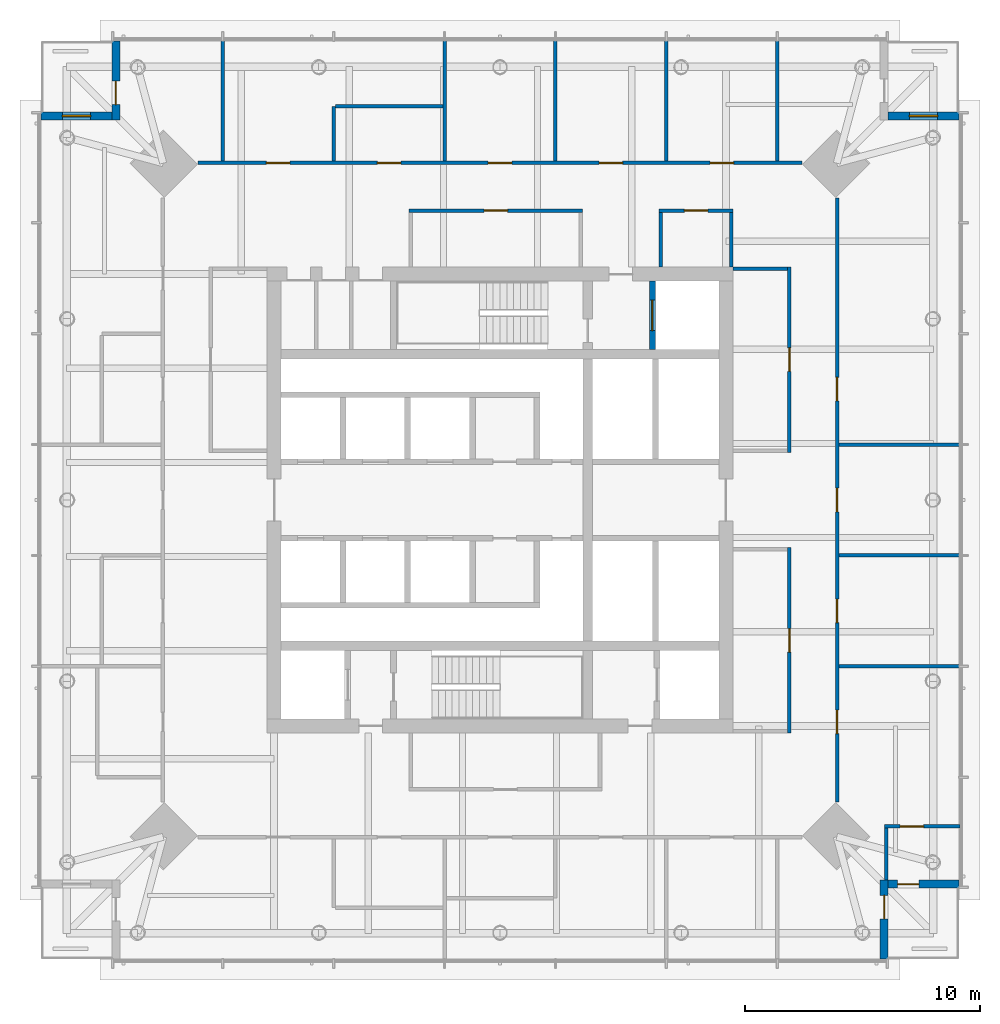
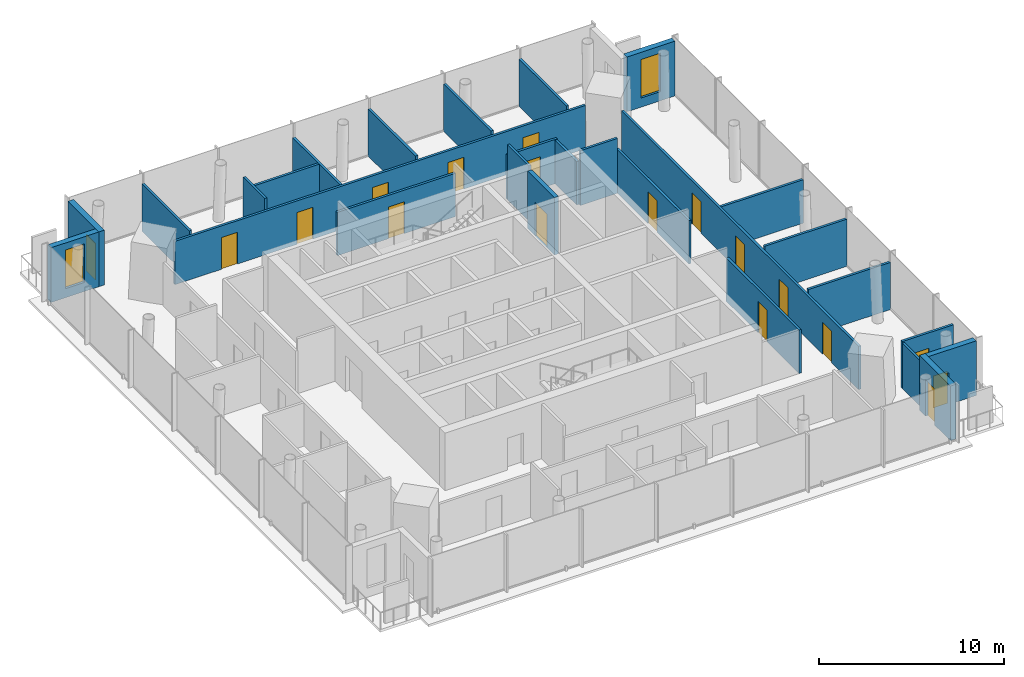
# One storey, part 6 of 11: 27 walls, 18 doors, 2 windows, 20 openings.
"""IFC4 building model written with IfcOpenShell, lengths in metres."""

from ifc_helpers import new_model, si_unit, direction, frame, frame_2d, origin, place, context, subcontext, project, spatial, rectangle, extrude, material, layer, layer_set, type_object, element, fill, save


model = new_model("IFC4")

# Units and contexts
model_context = context("Model", 3, precision=1e-05, world=origin(), true_north=direction((0.0, 1.0)))
body_context = subcontext(model_context, "Body", "Model", "MODEL_VIEW")
ifc_project = project(units=[si_unit("LENGTHUNIT", "METRE"), si_unit("AREAUNIT", "SQUARE_METRE"), si_unit("VOLUMEUNIT", "CUBIC_METRE"), si_unit("PLANEANGLEUNIT", "RADIAN"), si_unit("MASSUNIT", "GRAM", prefix="KILO")], contexts=[model_context])

# Site, building, storey
site_placement = place(None, origin())
site = spatial("IfcSite", under=ifc_project, at=site_placement, CompositionType="ELEMENT")
building_placement = place(site_placement, origin())
building = spatial("IfcBuilding", under=site, at=building_placement, Name="Ostroluk Exchange", CompositionType="ELEMENT")
storey_placement = place(building_placement, frame((0.0, 0.0, 195.800048828125)))
storey = spatial("IfcBuildingStorey", under=building, at=storey_placement, Name="L50", CompositionType="ELEMENT", Elevation=195.800048828125)

# Wall, opening, door
ifc_material_1 = material(Name="Concrete C40/50", Category="concrete")
ifc_layer_1 = layer(ifc_material_1, 0.25)
ifc_layer_set_1 = layer_set([ifc_layer_1], Name="Core shaft wall 250")
wall_type_1 = type_object("IfcWallType", Name="Core shaft wall 250", PredefinedType="SHEAR", material=ifc_layer_set_1)
wall_1_placement = place(storey_placement, frame((51.47509765625, 52.39990234375, 0.0), z_axis=(0.0, 0.0, 1.0), x_axis=(0.0, 1.0, 0.0)))
wall_1 = element("IfcWall", 1, at=wall_1_placement, inside=storey, type_object=wall_type_1, Name="Firefighting lift shaft wall", PredefinedType="SHEAR", context=body_context, shape_type="SweptSolid", body=[
    extrude(rectangle(XDim=2.900146484375, YDim=0.25, at=frame_2d((1.4501953125, 0.0))), origin(), (0.0, 0.0, 1.0), 3.800048828125),
])
opening_1_placement = place(wall_1_placement, frame((0.800048828125, 0.0, 0.0)))
opening_1 = element("IfcOpeningElement", 2, at=opening_1_placement, cuts=wall_1, Name="Opening LD2", PredefinedType="OPENING", context=body_context, shape_type="SweptSolid", body=[
    extrude(rectangle(XDim=1.300048828125, YDim=2.199951171875, at=frame_2d((0.64990234375, 1.10009765625))), frame((0.0, 0.135009765625, 0.0), z_axis=(0.0, -1.0, 0.0), x_axis=(1.0, 0.0, 0.0)), (0.0, 0.0, 1.0), 0.27001953125),
])
ifc_material_2 = material(Name="Stainless steel", Category="steel")
door_type_1 = type_object("IfcDoorType", Name="Lift landing door E 60 1300 x 2200", OperationType="DOUBLE_DOOR_SLIDING", PredefinedType="DOOR", material=ifc_material_2)
door_1_placement = place(opening_1_placement, origin())
door_1 = element("IfcDoor", 3, at=door_1_placement, inside=storey, type_object=door_type_1, Name="Lift FL2 landing door", OperationType="DOUBLE_DOOR_SLIDING", OverallHeight=2.199951171875, OverallWidth=1.300048828125, PredefinedType="DOOR", context=body_context, shape_type="SweptSolid", body=[
    extrude(rectangle(XDim=1.300048828125, YDim=2.199951171875, at=frame_2d((0.64990234375, 1.10009765625))), frame((0.0, 0.02490234375, 0.0), z_axis=(0.0, -1.0, 0.0), x_axis=(1.0, 0.0, 0.0)), (0.0, 0.0, 1.0), 0.050048828125),
])
fill(opening_1, door_1)

ifc_material_3 = material(Name="Limestone", Category="masonry")
ifc_layer_2 = layer(ifc_material_3, 0.35009765625)
ifc_layer_set_2 = layer_set([ifc_layer_2], Name="Limestone facade wall 350")
wall_type_2 = type_object("IfcWallType", Name="Limestone facade wall 350", PredefinedType="SOLIDWALL", material=ifc_layer_set_2)
wall_2_placement = place(storey_placement, frame((61.324951171875, 26.5, 0.0), z_axis=(0.0, 0.0, 1.0), x_axis=(0.0, 1.0, 0.0)))
wall_2 = element("IfcWall", 4, at=wall_2_placement, inside=storey, type_object=wall_type_2, Name="Office tower SE corner wall L50 a", PredefinedType="SOLIDWALL", context=body_context, shape_type="SweptSolid", body=[
    extrude(rectangle(XDim=3.35009765625, YDim=0.35009765625, at=frame_2d((1.675048828125, 0.0))), origin(), (0.0, 0.0, 1.0), 3.619873046875),
])
opening_2_placement = place(wall_2_placement, frame((1.699951171875, 0.0, 0.0)))
opening_2 = element("IfcOpeningElement", 5, at=opening_2_placement, cuts=wall_2, Name="Opening D-B1", PredefinedType="OPENING", context=body_context, shape_type="SweptSolid", body=[
    extrude(rectangle(XDim=1.0, YDim=2.39990234375, at=frame_2d((0.5, 1.199951171875))), frame((0.0, 0.18505859375, 0.0), z_axis=(0.0, -1.0, 0.0), x_axis=(1.0, 0.0, 0.0)), (0.0, 0.0, 1.0), 0.3701171875),
])
ifc_material_4 = material(Name="Bronze framed glazed door", Category="aluminium")
door_type_2 = type_object("IfcDoorType", Name="Balcony door 1000 x 2400", OperationType="SINGLE_SWING_LEFT", PredefinedType="DOOR", material=ifc_material_4)
door_2_placement = place(opening_2_placement, origin())
door_2 = element("IfcDoor", 6, at=door_2_placement, inside=storey, type_object=door_type_2, Name="Office tower SE balcony door L50", OperationType="SINGLE_SWING_RIGHT", OverallHeight=2.39990234375, OverallWidth=1.0, PredefinedType="DOOR", context=body_context, shape_type="SweptSolid", body=[
    extrude(rectangle(XDim=1.0, YDim=2.39990234375, at=frame_2d((0.5, 1.199951171875))), frame((0.0, 0.02490234375, 0.0), z_axis=(0.0, -1.0, 0.0), x_axis=(1.0, 0.0, 0.0)), (0.0, 0.0, 1.0), 0.050048828125),
])
fill(opening_2, door_2)

wall_3_placement = place(storey_placement, frame((61.5, 29.675048828125, 0.0), z_axis=(0.0, 0.0, 1.0), x_axis=(1.0, 0.0, 0.0)))
wall_3 = element("IfcWall", 7, at=wall_3_placement, inside=storey, type_object=wall_type_2, Name="Office tower SE corner wall L50 b", PredefinedType="SOLIDWALL", context=body_context, shape_type="SweptSolid", body=[
    extrude(rectangle(XDim=3.0, YDim=0.35009765625, at=frame_2d((1.5, 0.0))), origin(), (0.0, 0.0, 1.0), 3.619873046875),
])
opening_3_placement = place(wall_3_placement, frame((0.39990234375, 0.0, 0.0)))
opening_3 = element("IfcOpeningElement", 8, at=opening_3_placement, cuts=wall_3, Name="Opening D-M1", PredefinedType="OPENING", context=body_context, shape_type="SweptSolid", body=[
    extrude(rectangle(XDim=0.89990234375, YDim=2.10009765625, at=frame_2d((0.449951171875, 1.050048828125))), frame((0.0, 0.18505859375, 0.0), z_axis=(0.0, -1.0, 0.0), x_axis=(1.0, 0.0, 0.0)), (0.0, 0.0, 1.0), 0.3701171875),
])
ifc_material_5 = material(Name="Steel door", Category="steel")
door_type_3 = type_object("IfcDoorType", Name="Maintenance access door 900 x 2100", OperationType="SINGLE_SWING_LEFT", PredefinedType="DOOR", material=ifc_material_5)
door_3_placement = place(opening_3_placement, origin())
door_3 = element("IfcDoor", 9, at=door_3_placement, inside=storey, type_object=door_type_3, Name="Maintenance access door T1 L50 SE", OperationType="SINGLE_SWING_LEFT", OverallHeight=2.10009765625, OverallWidth=0.89990234375, PredefinedType="DOOR", context=body_context, shape_type="SweptSolid", body=[
    extrude(rectangle(XDim=0.89990234375, YDim=2.10009765625, at=frame_2d((0.449951171875, 1.050048828125))), frame((0.0, 0.02490234375, 0.0), z_axis=(0.0, -1.0, 0.0), x_axis=(1.0, 0.0, 0.0)), (0.0, 0.0, 1.0), 0.050048828125),
])
fill(opening_3, door_3)

# Wall, opening, window
wall_4_placement = place(storey_placement, frame((61.5, 62.324951171875, 0.0), z_axis=(0.0, 0.0, 1.0), x_axis=(1.0, 0.0, 0.0)))
wall_4 = element("IfcWall", 10, at=wall_4_placement, inside=storey, type_object=wall_type_2, Name="Office tower NE corner wall L50 b", PredefinedType="SOLIDWALL", context=body_context, shape_type="SweptSolid", body=[
    extrude(rectangle(XDim=3.0, YDim=0.35009765625, at=frame_2d((1.5, 0.0))), origin(), (0.0, 0.0, 1.0), 3.619873046875),
])
opening_4_placement = place(wall_4_placement, frame((0.89990234375, 0.0, 0.60009765625)))
opening_4 = element("IfcOpeningElement", 11, at=opening_4_placement, cuts=wall_4, Name="Opening WN-L1", PredefinedType="OPENING", context=body_context, shape_type="SweptSolid", body=[
    extrude(rectangle(XDim=1.199951171875, YDim=2.550048828125, at=frame_2d((0.60009765625, 1.27490234375))), frame((0.0, 0.18505859375, 0.0), z_axis=(0.0, -1.0, 0.0), x_axis=(1.0, 0.0, 0.0)), (0.0, 0.0, 1.0), 0.3701171875),
])
ifc_material_6 = material(Name="Laminated clear glass", Category="glass")
window_type = type_object("IfcWindowType", Name="Lancet window 1200 x 2550", PartitioningType="SINGLE_PANEL", PredefinedType="WINDOW", material=ifc_material_6)
window_1_placement = place(opening_4_placement, origin())
window_1 = element("IfcWindow", 12, at=window_1_placement, inside=storey, type_object=window_type, Name="Office tower NE lancet window L50", OverallHeight=2.550048828125, OverallWidth=1.199951171875, PartitioningType="SINGLE_PANEL", PredefinedType="WINDOW", context=body_context, shape_type="SweptSolid", body=[
    extrude(rectangle(XDim=1.199951171875, YDim=2.550048828125, at=frame_2d((0.60009765625, 1.27490234375))), frame((0.0, 0.030029296875, 0.0), z_axis=(0.0, -1.0, 0.0), x_axis=(1.0, 0.0, 0.0)), (0.0, 0.0, 1.0), 0.06005859375),
])
fill(opening_4, window_1)

# Wall, opening, door
wall_5_placement = place(storey_placement, frame((28.675048828125, 65.5, 0.0), z_axis=(0.0, 0.0, 1.0), x_axis=(0.0, -1.0, 0.0)))
wall_5 = element("IfcWall", 13, at=wall_5_placement, inside=storey, type_object=wall_type_2, Name="Office tower NW corner wall L50 a", PredefinedType="SOLIDWALL", context=body_context, shape_type="SweptSolid", body=[
    extrude(rectangle(XDim=3.35009765625, YDim=0.35009765625, at=frame_2d((1.675048828125, 0.0))), origin(), (0.0, 0.0, 1.0), 3.619873046875),
])
opening_5_placement = place(wall_5_placement, frame((1.699951171875, 0.0, 0.0)))
opening_5 = element("IfcOpeningElement", 14, at=opening_5_placement, cuts=wall_5, Name="Opening D-B1", PredefinedType="OPENING", context=body_context, shape_type="SweptSolid", body=[
    extrude(rectangle(XDim=1.0, YDim=2.39990234375, at=frame_2d((0.5, 1.199951171875))), frame((0.0, 0.18505859375, 0.0), z_axis=(0.0, -1.0, 0.0), x_axis=(1.0, 0.0, 0.0)), (0.0, 0.0, 1.0), 0.3701171875),
])
door_4_placement = place(opening_5_placement, origin())
door_4 = element("IfcDoor", 15, at=door_4_placement, inside=storey, type_object=door_type_2, Name="Office tower NW balcony door L50", OperationType="SINGLE_SWING_RIGHT", OverallHeight=2.39990234375, OverallWidth=1.0, PredefinedType="DOOR", context=body_context, shape_type="SweptSolid", body=[
    extrude(rectangle(XDim=1.0, YDim=2.39990234375, at=frame_2d((0.5, 1.199951171875))), frame((0.0, 0.02490234375, 0.0), z_axis=(0.0, -1.0, 0.0), x_axis=(1.0, 0.0, 0.0)), (0.0, 0.0, 1.0), 0.050048828125),
])
fill(opening_5, door_4)

# Wall, opening, window
wall_6_placement = place(storey_placement, frame((28.5, 62.324951171875, 0.0), z_axis=(0.0, 0.0, 1.0), x_axis=(-1.0, 0.0, 0.0)))
wall_6 = element("IfcWall", 16, at=wall_6_placement, inside=storey, type_object=wall_type_2, Name="Office tower NW corner wall L50 b", PredefinedType="SOLIDWALL", context=body_context, shape_type="SweptSolid", body=[
    extrude(rectangle(XDim=3.0, YDim=0.35009765625, at=frame_2d((1.5, 0.0))), origin(), (0.0, 0.0, 1.0), 3.619873046875),
])
opening_6_placement = place(wall_6_placement, frame((0.89990234375, 0.0, 0.60009765625)))
opening_6 = element("IfcOpeningElement", 17, at=opening_6_placement, cuts=wall_6, Name="Opening WN-L1", PredefinedType="OPENING", context=body_context, shape_type="SweptSolid", body=[
    extrude(rectangle(XDim=1.199951171875, YDim=2.550048828125, at=frame_2d((0.60009765625, 1.27490234375))), frame((0.0, 0.18505859375, 0.0), z_axis=(0.0, -1.0, 0.0), x_axis=(1.0, 0.0, 0.0)), (0.0, 0.0, 1.0), 0.3701171875),
])
window_2_placement = place(opening_6_placement, origin())
window_2 = element("IfcWindow", 18, at=window_2_placement, inside=storey, type_object=window_type, Name="Office tower NW lancet window L50", OverallHeight=2.550048828125, OverallWidth=1.199951171875, PartitioningType="SINGLE_PANEL", PredefinedType="WINDOW", context=body_context, shape_type="SweptSolid", body=[
    extrude(rectangle(XDim=1.199951171875, YDim=2.550048828125, at=frame_2d((0.60009765625, 1.27490234375))), frame((0.0, 0.030029296875, 0.0), z_axis=(0.0, -1.0, 0.0), x_axis=(1.0, 0.0, 0.0)), (0.0, 0.0, 1.0), 0.06005859375),
])
fill(opening_6, window_2)

# Wall, opening, door
ifc_material_7 = material(Name="Gypsum plasterboard partition", Category="gypsum")
ifc_layer_3 = layer(ifc_material_7, 0.14990234375)
ifc_layer_set_3 = layer_set([ifc_layer_3], Name="Plasterboard partition 150")
wall_type_3 = type_object("IfcWallType", Name="Plasterboard partition 150", PredefinedType="PARTITIONING", material=ifc_layer_set_3)
wall_7_placement = place(storey_placement, frame((57.300048828125, 36.10009765625, 0.0), z_axis=(0.0, 0.0, 1.0), x_axis=(0.0, 1.0, 0.0)))
wall_7 = element("IfcWall", 19, at=wall_7_placement, inside=storey, type_object=wall_type_3, Name="Partition", PredefinedType="PARTITIONING", context=body_context, shape_type="SweptSolid", body=[
    extrude(rectangle(XDim=7.875, YDim=0.14990234375, at=frame_2d((3.9375, 0.0))), origin(), (0.0, 0.0, 1.0), 2.866943359375),
])
opening_7_placement = place(wall_7_placement, frame((3.4375, 0.0, 0.0)))
opening_7 = element("IfcOpeningElement", 20, at=opening_7_placement, cuts=wall_7, Name="Opening D-03", PredefinedType="OPENING", context=body_context, shape_type="SweptSolid", body=[
    extrude(rectangle(XDim=1.0, YDim=2.10009765625, at=frame_2d((0.5, 1.050048828125))), frame((0.0, 0.0849609375, 0.0), z_axis=(0.0, -1.0, 0.0), x_axis=(1.0, 0.0, 0.0)), (0.0, 0.0, 1.0), 0.169921875),
])
ifc_material_8 = material(Name="Timber", Category="wood")
door_type_4 = type_object("IfcDoorType", Name="Internal door 1000 x 2100", OperationType="SINGLE_SWING_LEFT", PredefinedType="DOOR", material=ifc_material_8)
door_5_placement = place(opening_7_placement, origin())
door_5 = element("IfcDoor", 21, at=door_5_placement, inside=storey, type_object=door_type_4, Name="Quiet room door", OperationType="SINGLE_SWING_LEFT", OverallHeight=2.10009765625, OverallWidth=1.0, PredefinedType="DOOR", context=body_context, shape_type="SweptSolid", body=[
    extrude(rectangle(XDim=1.0, YDim=2.10009765625, at=frame_2d((0.5, 1.050048828125))), frame((0.0, 0.02490234375, 0.0), z_axis=(0.0, -1.0, 0.0), x_axis=(1.0, 0.0, 0.0)), (0.0, 0.0, 1.0), 0.050048828125),
])
fill(opening_7, door_5)

wall_8_placement = place(storey_placement, frame((57.300048828125, 48.02490234375, 0.0), z_axis=(0.0, 0.0, 1.0), x_axis=(0.0, 1.0, 0.0)))
wall_8 = element("IfcWall", 22, at=wall_8_placement, inside=storey, type_object=wall_type_3, Name="Partition", PredefinedType="PARTITIONING", context=body_context, shape_type="SweptSolid", body=[
    extrude(rectangle(XDim=7.875, YDim=0.14990234375, at=frame_2d((3.9375, 0.0))), origin(), (0.0, 0.0, 1.0), 2.866943359375),
])
opening_8_placement = place(wall_8_placement, frame((3.4375, 0.0, 0.0)))
opening_8 = element("IfcOpeningElement", 23, at=opening_8_placement, cuts=wall_8, Name="Opening D-03", PredefinedType="OPENING", context=body_context, shape_type="SweptSolid", body=[
    extrude(rectangle(XDim=1.0, YDim=2.10009765625, at=frame_2d((0.5, 1.050048828125))), frame((0.0, 0.0849609375, 0.0), z_axis=(0.0, -1.0, 0.0), x_axis=(1.0, 0.0, 0.0)), (0.0, 0.0, 1.0), 0.169921875),
])
door_6_placement = place(opening_8_placement, origin())
door_6 = element("IfcDoor", 24, at=door_6_placement, inside=storey, type_object=door_type_4, Name="Quiet room door", OperationType="SINGLE_SWING_LEFT", OverallHeight=2.10009765625, OverallWidth=1.0, PredefinedType="DOOR", context=body_context, shape_type="SweptSolid", body=[
    extrude(rectangle(XDim=1.0, YDim=2.10009765625, at=frame_2d((0.5, 1.050048828125))), frame((0.0, 0.02490234375, 0.0), z_axis=(0.0, -1.0, 0.0), x_axis=(1.0, 0.0, 0.0)), (0.0, 0.0, 1.0), 0.050048828125),
])
fill(opening_8, door_6)

# Wall
wall_9_placement = place(storey_placement, frame((54.89990234375, 55.824951171875, 0.0), z_axis=(0.0, 0.0, 1.0), x_axis=(1.0, 0.0, 0.0)))
element("IfcWall", 25, at=wall_9_placement, inside=storey, type_object=wall_type_3, Name="Partition", PredefinedType="PARTITIONING", context=body_context, shape_type="SweptSolid", body=[
    extrude(rectangle(XDim=2.3251953125, YDim=0.14990234375, at=frame_2d((1.16259765625, 0.0))), origin(), (0.0, 0.0, 1.0), 3.619873046875),
])

# Wall, opening, door
wall_10_placement = place(storey_placement, frame((54.89990234375, 58.300048828125, 0.0), z_axis=(0.0, 0.0, 1.0), x_axis=(-1.0, 0.0, 0.0)))
wall_10 = element("IfcWall", 26, at=wall_10_placement, inside=storey, type_object=wall_type_3, Name="Partition", PredefinedType="PARTITIONING", context=body_context, shape_type="SweptSolid", body=[
    extrude(rectangle(XDim=3.135009765625, YDim=0.14990234375, at=frame_2d((1.5673828125, 0.0))), origin(), (0.0, 0.0, 1.0), 2.919921875),
])
opening_9_placement = place(wall_10_placement, frame((1.0673828125, 0.0, 0.0)))
opening_9 = element("IfcOpeningElement", 27, at=opening_9_placement, cuts=wall_10, Name="Opening D-03", PredefinedType="OPENING", context=body_context, shape_type="SweptSolid", body=[
    extrude(rectangle(XDim=1.0, YDim=2.10009765625, at=frame_2d((0.5, 1.050048828125))), frame((0.0, 0.0849609375, 0.0), z_axis=(0.0, -1.0, 0.0), x_axis=(1.0, 0.0, 0.0)), (0.0, 0.0, 1.0), 0.169921875),
])
door_7_placement = place(opening_9_placement, origin())
door_7 = element("IfcDoor", 28, at=door_7_placement, inside=storey, type_object=door_type_4, Name="Quiet room door", OperationType="SINGLE_SWING_RIGHT", OverallHeight=2.10009765625, OverallWidth=1.0, PredefinedType="DOOR", context=body_context, shape_type="SweptSolid", body=[
    extrude(rectangle(XDim=1.0, YDim=2.10009765625, at=frame_2d((0.5, 1.050048828125))), frame((0.0, 0.02490234375, 0.0), z_axis=(0.0, -1.0, 0.0), x_axis=(1.0, 0.0, 0.0)), (0.0, 0.0, 1.0), 0.050048828125),
])
fill(opening_9, door_7)

# Walls
wall_11_placement = place(storey_placement, frame((54.824951171875, 55.89990234375, 0.0), z_axis=(0.0, 0.0, 1.0), x_axis=(0.0, 1.0, 0.0)))
element("IfcWall", 29, at=wall_11_placement, inside=storey, type_object=wall_type_3, Name="Partition", PredefinedType="PARTITIONING", context=body_context, shape_type="SweptSolid", body=[
    extrude(rectangle(XDim=2.3251953125, YDim=0.14990234375, at=frame_2d((1.16259765625, 0.0))), origin(), (0.0, 0.0, 1.0), 2.866943359375),
])
wall_12_placement = place(storey_placement, frame((51.840087890625, 55.89990234375, 0.0), z_axis=(0.0, 0.0, 1.0), x_axis=(0.0, 1.0, 0.0)))
element("IfcWall", 30, at=wall_12_placement, inside=storey, type_object=wall_type_3, Name="Partition", PredefinedType="PARTITIONING", context=body_context, shape_type="SweptSolid", body=[
    extrude(rectangle(XDim=2.3251953125, YDim=0.14990234375, at=frame_2d((1.16259765625, 0.0))), origin(), (0.0, 0.0, 1.0), 3.619873046875),
])

# Wall, opening, door
wall_13_placement = place(storey_placement, frame((48.514892578125, 58.300048828125, 0.0), z_axis=(0.0, 0.0, 1.0), x_axis=(-1.0, 0.0, 0.0)))
wall_13 = element("IfcWall", 31, at=wall_13_placement, inside=storey, type_object=wall_type_3, Name="Partition", PredefinedType="PARTITIONING", context=body_context, shape_type="SweptSolid", body=[
    extrude(rectangle(XDim=7.376953125, YDim=0.14990234375, at=frame_2d((3.6884765625, 0.0))), origin(), (0.0, 0.0, 1.0), 2.866943359375),
])
opening_10_placement = place(wall_13_placement, frame((3.1884765625, 0.0, 0.0)))
opening_10 = element("IfcOpeningElement", 32, at=opening_10_placement, cuts=wall_13, Name="Opening D-03", PredefinedType="OPENING", context=body_context, shape_type="SweptSolid", body=[
    extrude(rectangle(XDim=1.0, YDim=2.10009765625, at=frame_2d((0.5, 1.050048828125))), frame((0.0, 0.0849609375, 0.0), z_axis=(0.0, -1.0, 0.0), x_axis=(1.0, 0.0, 0.0)), (0.0, 0.0, 1.0), 0.169921875),
])
door_8_placement = place(opening_10_placement, origin())
door_8 = element("IfcDoor", 33, at=door_8_placement, inside=storey, type_object=door_type_4, Name="Quiet room door", OperationType="SINGLE_SWING_LEFT", OverallHeight=2.10009765625, OverallWidth=1.0, PredefinedType="DOOR", context=body_context, shape_type="SweptSolid", body=[
    extrude(rectangle(XDim=1.0, YDim=2.10009765625, at=frame_2d((0.5, 1.050048828125))), frame((0.0, 0.02490234375, 0.0), z_axis=(0.0, -1.0, 0.0), x_axis=(1.0, 0.0, 0.0)), (0.0, 0.0, 1.0), 0.050048828125),
])
fill(opening_10, door_8)

# Wall, openings, doors
wall_14_placement = place(storey_placement, frame((59.324951171875, 33.164306640625, 0.0), z_axis=(0.0, 0.0, 1.0), x_axis=(0.0, 1.0, 0.0)))
wall_14 = element("IfcWall", 34, at=wall_14_placement, inside=storey, type_object=wall_type_3, Name="Partition", PredefinedType="PARTITIONING", context=body_context, shape_type="SweptSolid", body=[
    extrude(rectangle(XDim=25.67138671875, YDim=0.14990234375, at=frame_2d((12.835693359375, 0.0))), origin(), (0.0, 0.0, 1.0), 2.866943359375),
])
opening_11_placement = place(wall_14_placement, frame((2.9072265625, 0.0, 0.0)))
opening_11 = element("IfcOpeningElement", 35, at=opening_11_placement, cuts=wall_14, Name="Opening D-03", PredefinedType="OPENING", context=body_context, shape_type="SweptSolid", body=[
    extrude(rectangle(XDim=1.0, YDim=2.10009765625, at=frame_2d((0.5, 1.050048828125))), frame((0.0, 0.0849609375, 0.0), z_axis=(0.0, -1.0, 0.0), x_axis=(1.0, 0.0, 0.0)), (0.0, 0.0, 1.0), 0.169921875),
])
opening_12_placement = place(wall_14_placement, frame((7.62158203125, 0.0, 0.0)))
opening_12 = element("IfcOpeningElement", 36, at=opening_12_placement, cuts=wall_14, Name="Opening D-03", PredefinedType="OPENING", context=body_context, shape_type="SweptSolid", body=[
    extrude(rectangle(XDim=1.0, YDim=2.10009765625, at=frame_2d((0.5, 1.050048828125))), frame((0.0, 0.0849609375, 0.0), z_axis=(0.0, -1.0, 0.0), x_axis=(1.0, 0.0, 0.0)), (0.0, 0.0, 1.0), 0.169921875),
])
opening_13_placement = place(wall_14_placement, frame((12.335693359375, 0.0, 0.0)))
opening_13 = element("IfcOpeningElement", 37, at=opening_13_placement, cuts=wall_14, Name="Opening D-03", PredefinedType="OPENING", context=body_context, shape_type="SweptSolid", body=[
    extrude(rectangle(XDim=1.0, YDim=2.10009765625, at=frame_2d((0.5, 1.050048828125))), frame((0.0, 0.0849609375, 0.0), z_axis=(0.0, -1.0, 0.0), x_axis=(1.0, 0.0, 0.0)), (0.0, 0.0, 1.0), 0.169921875),
])
opening_14_placement = place(wall_14_placement, frame((17.050048828125, 0.0, 0.0)))
opening_14 = element("IfcOpeningElement", 38, at=opening_14_placement, cuts=wall_14, Name="Opening D-03", PredefinedType="OPENING", context=body_context, shape_type="SweptSolid", body=[
    extrude(rectangle(XDim=1.0, YDim=2.10009765625, at=frame_2d((0.5, 1.050048828125))), frame((0.0, 0.0849609375, 0.0), z_axis=(0.0, -1.0, 0.0), x_axis=(1.0, 0.0, 0.0)), (0.0, 0.0, 1.0), 0.169921875),
])
door_9_placement = place(opening_11_placement, origin())
door_9 = element("IfcDoor", 39, at=door_9_placement, inside=storey, type_object=door_type_4, Name="Office suite door", OperationType="SINGLE_SWING_LEFT", OverallHeight=2.10009765625, OverallWidth=1.0, PredefinedType="DOOR", context=body_context, shape_type="SweptSolid", body=[
    extrude(rectangle(XDim=1.0, YDim=2.10009765625, at=frame_2d((0.5, 1.050048828125))), frame((0.0, 0.02490234375, 0.0), z_axis=(0.0, -1.0, 0.0), x_axis=(1.0, 0.0, 0.0)), (0.0, 0.0, 1.0), 0.050048828125),
])
fill(opening_11, door_9)
door_10_placement = place(opening_12_placement, origin())
door_10 = element("IfcDoor", 40, at=door_10_placement, inside=storey, type_object=door_type_4, Name="Meeting room door", OperationType="SINGLE_SWING_LEFT", OverallHeight=2.10009765625, OverallWidth=1.0, PredefinedType="DOOR", context=body_context, shape_type="SweptSolid", body=[
    extrude(rectangle(XDim=1.0, YDim=2.10009765625, at=frame_2d((0.5, 1.050048828125))), frame((0.0, 0.02490234375, 0.0), z_axis=(0.0, -1.0, 0.0), x_axis=(1.0, 0.0, 0.0)), (0.0, 0.0, 1.0), 0.050048828125),
])
fill(opening_12, door_10)
door_11_placement = place(opening_13_placement, origin())
door_11 = element("IfcDoor", 41, at=door_11_placement, inside=storey, type_object=door_type_4, Name="Office door", OperationType="SINGLE_SWING_LEFT", OverallHeight=2.10009765625, OverallWidth=1.0, PredefinedType="DOOR", context=body_context, shape_type="SweptSolid", body=[
    extrude(rectangle(XDim=1.0, YDim=2.10009765625, at=frame_2d((0.5, 1.050048828125))), frame((0.0, 0.02490234375, 0.0), z_axis=(0.0, -1.0, 0.0), x_axis=(1.0, 0.0, 0.0)), (0.0, 0.0, 1.0), 0.050048828125),
])
fill(opening_13, door_11)
door_12_placement = place(opening_14_placement, origin())
door_12 = element("IfcDoor", 42, at=door_12_placement, inside=storey, type_object=door_type_4, Name="Office door", OperationType="SINGLE_SWING_RIGHT", OverallHeight=2.10009765625, OverallWidth=1.0, PredefinedType="DOOR", context=body_context, shape_type="SweptSolid", body=[
    extrude(rectangle(XDim=1.0, YDim=2.10009765625, at=frame_2d((0.5, 1.050048828125))), frame((0.0, 0.02490234375, 0.0), z_axis=(0.0, -1.0, 0.0), x_axis=(1.0, 0.0, 0.0)), (0.0, 0.0, 1.0), 0.050048828125),
])
fill(opening_14, door_12)

# Walls
for number, where, z_axis, x_axis, name in (
    (43, (59.39990234375, 38.928466796875, 0.0), (0.0, 0.0, 1.0), (1.0, 0.0, 0.0), "Partition"),
    (44, (59.39990234375, 43.642822265625, 0.0), (0.0, 0.0, 1.0), (1.0, 0.0, 0.0), "Partition"),
):
    element("IfcWall", number, at=place(storey_placement, frame(where, z_axis=z_axis, x_axis=x_axis)), inside=storey, type_object=wall_type_3, Name=name, PredefinedType="PARTITIONING", context=body_context, shape_type="SweptSolid", body=[
        extrude(rectangle(XDim=5.14013671875, YDim=0.14990234375, at=frame_2d((2.570068359375, 0.0))), origin(), (0.0, 0.0, 1.0), 3.119873046875),
    ])
wall_15_placement = place(storey_placement, frame((59.39990234375, 48.357177734375, 0.0), z_axis=(0.0, 0.0, 1.0), x_axis=(1.0, 0.0, 0.0)))
element("IfcWall", 45, at=wall_15_placement, inside=storey, type_object=wall_type_3, Name="Partition", PredefinedType="PARTITIONING", context=body_context, shape_type="SweptSolid", body=[
    extrude(rectangle(XDim=5.14013671875, YDim=0.14990234375, at=frame_2d((2.570068359375, 0.0))), origin(), (0.0, 0.0, 1.0), 2.866943359375),
])
wall_16_placement = place(storey_placement, frame((42.56787109375, 62.72509765625, 0.0), z_axis=(0.0, 0.0, 1.0), x_axis=(-1.0, 0.0, 0.0)))
element("IfcWall", 46, at=wall_16_placement, inside=storey, type_object=wall_type_3, Name="Partition", PredefinedType="PARTITIONING", context=body_context, shape_type="SweptSolid", body=[
    extrude(rectangle(XDim=4.564208984375, YDim=0.14990234375, at=frame_2d((2.2822265625, 0.0))), origin(), (0.0, 0.0, 1.0), 2.866943359375),
])

# Wall, openings, doors
wall_17_placement = place(storey_placement, frame((57.835693359375, 60.324951171875, 0.0), z_axis=(0.0, 0.0, 1.0), x_axis=(-1.0, 0.0, 0.0)))
wall_17 = element("IfcWall", 47, at=wall_17_placement, inside=storey, type_object=wall_type_3, Name="Partition", PredefinedType="PARTITIONING", context=body_context, shape_type="SweptSolid", body=[
    extrude(rectangle(XDim=25.67138671875, YDim=0.14990234375, at=frame_2d((12.835693359375, 0.0))), origin(), (0.0, 0.0, 1.0), 2.866943359375),
])
opening_15_placement = place(wall_17_placement, frame((2.9072265625, 0.0, 0.0)))
opening_15 = element("IfcOpeningElement", 48, at=opening_15_placement, cuts=wall_17, Name="Opening D-03", PredefinedType="OPENING", context=body_context, shape_type="SweptSolid", body=[
    extrude(rectangle(XDim=1.0, YDim=2.10009765625, at=frame_2d((0.5, 1.050048828125))), frame((0.0, 0.0849609375, 0.0), z_axis=(0.0, -1.0, 0.0), x_axis=(1.0, 0.0, 0.0)), (0.0, 0.0, 1.0), 0.169921875),
])
opening_16_placement = place(wall_17_placement, frame((7.62158203125, 0.0, 0.0)))
opening_16 = element("IfcOpeningElement", 49, at=opening_16_placement, cuts=wall_17, Name="Opening D-03", PredefinedType="OPENING", context=body_context, shape_type="SweptSolid", body=[
    extrude(rectangle(XDim=1.0, YDim=2.10009765625, at=frame_2d((0.5, 1.050048828125))), frame((0.0, 0.0849609375, 0.0), z_axis=(0.0, -1.0, 0.0), x_axis=(1.0, 0.0, 0.0)), (0.0, 0.0, 1.0), 0.169921875),
])
opening_17_placement = place(wall_17_placement, frame((12.335693359375, 0.0, 0.0)))
opening_17 = element("IfcOpeningElement", 50, at=opening_17_placement, cuts=wall_17, Name="Opening D-03", PredefinedType="OPENING", context=body_context, shape_type="SweptSolid", body=[
    extrude(rectangle(XDim=1.0, YDim=2.10009765625, at=frame_2d((0.5, 1.050048828125))), frame((0.0, 0.0849609375, 0.0), z_axis=(0.0, -1.0, 0.0), x_axis=(1.0, 0.0, 0.0)), (0.0, 0.0, 1.0), 0.169921875),
])
opening_18_placement = place(wall_17_placement, frame((17.050048828125, 0.0, 0.0)))
opening_18 = element("IfcOpeningElement", 51, at=opening_18_placement, cuts=wall_17, Name="Opening D-03", PredefinedType="OPENING", context=body_context, shape_type="SweptSolid", body=[
    extrude(rectangle(XDim=1.0, YDim=2.10009765625, at=frame_2d((0.5, 1.050048828125))), frame((0.0, 0.0849609375, 0.0), z_axis=(0.0, -1.0, 0.0), x_axis=(1.0, 0.0, 0.0)), (0.0, 0.0, 1.0), 0.169921875),
])
opening_19_placement = place(wall_17_placement, frame((21.764404296875, 0.0, 0.0)))
opening_19 = element("IfcOpeningElement", 52, at=opening_19_placement, cuts=wall_17, Name="Opening D-03", PredefinedType="OPENING", context=body_context, shape_type="SweptSolid", body=[
    extrude(rectangle(XDim=1.0, YDim=2.10009765625, at=frame_2d((0.5, 1.050048828125))), frame((0.0, 0.0849609375, 0.0), z_axis=(0.0, -1.0, 0.0), x_axis=(1.0, 0.0, 0.0)), (0.0, 0.0, 1.0), 0.169921875),
])
door_13_placement = place(opening_15_placement, origin())
door_13 = element("IfcDoor", 53, at=door_13_placement, inside=storey, type_object=door_type_4, Name="Office door", OperationType="SINGLE_SWING_LEFT", OverallHeight=2.10009765625, OverallWidth=1.0, PredefinedType="DOOR", context=body_context, shape_type="SweptSolid", body=[
    extrude(rectangle(XDim=1.0, YDim=2.10009765625, at=frame_2d((0.5, 1.050048828125))), frame((0.0, 0.02490234375, 0.0), z_axis=(0.0, -1.0, 0.0), x_axis=(1.0, 0.0, 0.0)), (0.0, 0.0, 1.0), 0.050048828125),
])
fill(opening_15, door_13)
door_14_placement = place(opening_16_placement, origin())
door_14 = element("IfcDoor", 54, at=door_14_placement, inside=storey, type_object=door_type_4, Name="Office door", OperationType="SINGLE_SWING_LEFT", OverallHeight=2.10009765625, OverallWidth=1.0, PredefinedType="DOOR", context=body_context, shape_type="SweptSolid", body=[
    extrude(rectangle(XDim=1.0, YDim=2.10009765625, at=frame_2d((0.5, 1.050048828125))), frame((0.0, 0.02490234375, 0.0), z_axis=(0.0, -1.0, 0.0), x_axis=(1.0, 0.0, 0.0)), (0.0, 0.0, 1.0), 0.050048828125),
])
fill(opening_16, door_14)
door_15_placement = place(opening_17_placement, origin())
door_15 = element("IfcDoor", 55, at=door_15_placement, inside=storey, type_object=door_type_4, Name="Meeting room door", OperationType="SINGLE_SWING_LEFT", OverallHeight=2.10009765625, OverallWidth=1.0, PredefinedType="DOOR", context=body_context, shape_type="SweptSolid", body=[
    extrude(rectangle(XDim=1.0, YDim=2.10009765625, at=frame_2d((0.5, 1.050048828125))), frame((0.0, 0.02490234375, 0.0), z_axis=(0.0, -1.0, 0.0), x_axis=(1.0, 0.0, 0.0)), (0.0, 0.0, 1.0), 0.050048828125),
])
fill(opening_17, door_15)
door_16_placement = place(opening_18_placement, origin())
door_16 = element("IfcDoor", 56, at=door_16_placement, inside=storey, type_object=door_type_4, Name="Print and store room door", OperationType="SINGLE_SWING_RIGHT", OverallHeight=2.10009765625, OverallWidth=1.0, PredefinedType="DOOR", context=body_context, shape_type="SweptSolid", body=[
    extrude(rectangle(XDim=1.0, YDim=2.10009765625, at=frame_2d((0.5, 1.050048828125))), frame((0.0, 0.02490234375, 0.0), z_axis=(0.0, -1.0, 0.0), x_axis=(1.0, 0.0, 0.0)), (0.0, 0.0, 1.0), 0.050048828125),
])
fill(opening_18, door_16)
door_17_placement = place(opening_19_placement, origin())
door_17 = element("IfcDoor", 57, at=door_17_placement, inside=storey, type_object=door_type_4, Name="Office door", OperationType="SINGLE_SWING_RIGHT", OverallHeight=2.10009765625, OverallWidth=1.0, PredefinedType="DOOR", context=body_context, shape_type="SweptSolid", body=[
    extrude(rectangle(XDim=1.0, YDim=2.10009765625, at=frame_2d((0.5, 1.050048828125))), frame((0.0, 0.02490234375, 0.0), z_axis=(0.0, -1.0, 0.0), x_axis=(1.0, 0.0, 0.0)), (0.0, 0.0, 1.0), 0.050048828125),
])
fill(opening_19, door_17)

# Walls
for number, where, z_axis, x_axis, name in (
    (58, (56.78564453125, 60.39990234375, 0.0), (0.0, 0.0, 1.0), (0.0, 1.0, 0.0), "Partition"),
    (59, (52.071533203125, 60.39990234375, 0.0), (0.0, 0.0, 1.0), (0.0, 1.0, 0.0), "Partition"),
    (60, (47.357177734375, 60.39990234375, 0.0), (0.0, 0.0, 1.0), (0.0, 1.0, 0.0), "Partition"),
):
    element("IfcWall", number, at=place(storey_placement, frame(where, z_axis=z_axis, x_axis=x_axis)), inside=storey, type_object=wall_type_3, Name=name, PredefinedType="PARTITIONING", context=body_context, shape_type="SweptSolid", body=[
        extrude(rectangle(XDim=5.14013671875, YDim=0.14990234375, at=frame_2d((2.570068359375, 0.0))), origin(), (0.0, 0.0, 1.0), 3.119873046875),
    ])
wall_18_placement = place(storey_placement, frame((42.642822265625, 60.39990234375, 0.0), z_axis=(0.0, 0.0, 1.0), x_axis=(0.0, 1.0, 0.0)))
element("IfcWall", 61, at=wall_18_placement, inside=storey, type_object=wall_type_3, Name="Partition", PredefinedType="PARTITIONING", context=body_context, shape_type="SweptSolid", body=[
    extrude(rectangle(XDim=5.14013671875, YDim=0.14990234375, at=frame_2d((2.570068359375, 0.0))), origin(), (0.0, 0.0, 1.0), 2.866943359375),
])
wall_19_placement = place(storey_placement, frame((37.928466796875, 60.39990234375, 0.0), z_axis=(0.0, 0.0, 1.0), x_axis=(0.0, 1.0, 0.0)))
element("IfcWall", 62, at=wall_19_placement, inside=storey, type_object=wall_type_3, Name="Partition", PredefinedType="PARTITIONING", context=body_context, shape_type="SweptSolid", body=[
    extrude(rectangle(XDim=2.3251953125, YDim=0.14990234375, at=frame_2d((1.16259765625, 0.0))), origin(), (0.0, 0.0, 1.0), 3.619873046875),
])
wall_20_placement = place(storey_placement, frame((33.21435546875, 60.39990234375, 0.0), z_axis=(0.0, 0.0, 1.0), x_axis=(0.0, 1.0, 0.0)))
element("IfcWall", 63, at=wall_20_placement, inside=storey, type_object=wall_type_3, Name="Partition", PredefinedType="PARTITIONING", context=body_context, shape_type="SweptSolid", body=[
    extrude(rectangle(XDim=5.14013671875, YDim=0.14990234375, at=frame_2d((2.570068359375, 0.0))), origin(), (0.0, 0.0, 1.0), 3.119873046875),
])

# Wall, opening, door
wall_21_placement = place(storey_placement, frame((61.35009765625, 32.125, 0.0), z_axis=(0.0, 0.0, 1.0), x_axis=(1.0, 0.0, 0.0)))
wall_21 = element("IfcWall", 64, at=wall_21_placement, inside=storey, type_object=wall_type_3, Name="Partition", PredefinedType="PARTITIONING", context=body_context, shape_type="SweptSolid", body=[
    extrude(rectangle(XDim=3.18994140625, YDim=0.14990234375, at=frame_2d((1.594970703125, 0.0))), origin(), (0.0, 0.0, 1.0), 3.119873046875),
])
opening_20_placement = place(wall_21_placement, frame((0.64990234375, 0.0, 0.0)))
opening_20 = element("IfcOpeningElement", 65, at=opening_20_placement, cuts=wall_21, Name="Opening D-03", PredefinedType="OPENING", context=body_context, shape_type="SweptSolid", body=[
    extrude(rectangle(XDim=1.0, YDim=2.10009765625, at=frame_2d((0.5, 1.050048828125))), frame((0.0, 0.0849609375, 0.0), z_axis=(0.0, -1.0, 0.0), x_axis=(1.0, 0.0, 0.0)), (0.0, 0.0, 1.0), 0.169921875),
])
door_18_placement = place(opening_20_placement, origin())
door_18 = element("IfcDoor", 66, at=door_18_placement, inside=storey, type_object=door_type_4, Name="Facade maintenance store door", OperationType="SINGLE_SWING_LEFT", OverallHeight=2.10009765625, OverallWidth=1.0, PredefinedType="DOOR", context=body_context, shape_type="SweptSolid", body=[
    extrude(rectangle(XDim=1.0, YDim=2.10009765625, at=frame_2d((0.5, 1.050048828125))), frame((0.0, 0.02490234375, 0.0), z_axis=(0.0, -1.0, 0.0), x_axis=(1.0, 0.0, 0.0)), (0.0, 0.0, 1.0), 0.050048828125),
])
fill(opening_20, door_18)

# Wall
wall_22_placement = place(storey_placement, frame((61.425048828125, 32.050048828125, 0.0), z_axis=(0.0, 0.0, 1.0), x_axis=(0.0, -1.0, 0.0)))
element("IfcWall", 67, at=wall_22_placement, inside=storey, type_object=wall_type_3, Name="Partition", PredefinedType="PARTITIONING", context=body_context, shape_type="SweptSolid", body=[
    extrude(rectangle(XDim=2.199951171875, YDim=0.14990234375, at=frame_2d((1.10009765625, 0.0))), origin(), (0.0, 0.0, 1.0), 3.02001953125),
])

save(model, "model.ifc")
